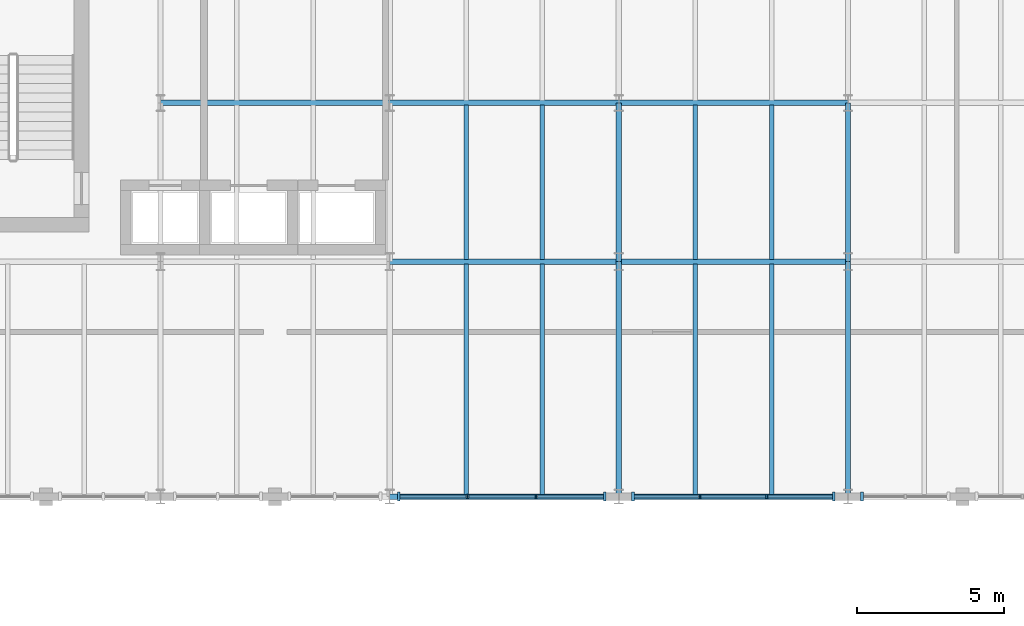
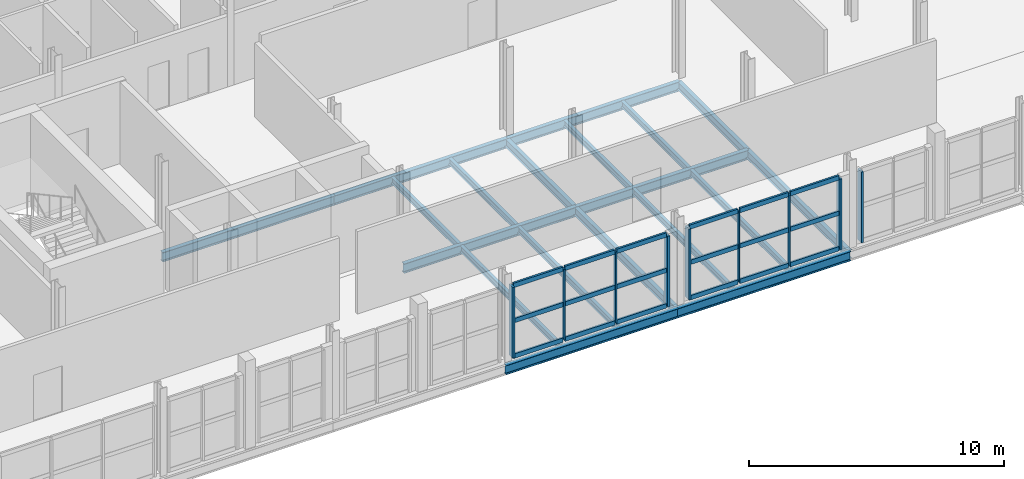
# One storey, part 18 of 45: 27 members, 19 beams, 3 elements without a shape of their own.
"""IFC4 building model written with IfcOpenShell, lengths in metres."""

from ifc_helpers import new_model, si_unit, direction, frame, origin, origin_2d, place, context, subcontext, project, spatial, rectangle, i_section, extrude, material, layer, layer_set, material_profile, profile_set, type_object, element, aggregate, save


model = new_model("IFC4")

# Units and contexts
model_context = context("Model", 3, precision=1e-05, world=origin(), true_north=direction((0.0, 1.0)))
body_context = subcontext(model_context, "Body", "Model", "MODEL_VIEW")
ifc_project = project(units=[si_unit("LENGTHUNIT", "METRE"), si_unit("AREAUNIT", "SQUARE_METRE"), si_unit("VOLUMEUNIT", "CUBIC_METRE"), si_unit("PLANEANGLEUNIT", "RADIAN"), si_unit("MASSUNIT", "GRAM", prefix="KILO")], contexts=[model_context])

# Site, building, storey
site_placement = place(None, origin())
site = spatial("IfcSite", under=ifc_project, at=site_placement, CompositionType="ELEMENT")
building_placement = place(site_placement, origin())
building = spatial("IfcBuilding", under=site, at=building_placement, Name="Sefraquen Railside Congress Hotel", CompositionType="ELEMENT")
storey_placement = place(building_placement, frame((0.0, 0.0, 20.39990234375)))
storey = spatial("IfcBuildingStorey", under=building, at=storey_placement, Name="L04", CompositionType="ELEMENT", Elevation=20.39990234375)

# Beams
ifc_material_1 = material(Name="Steel S355JR", Category="steel")
ifc_material_profile_1 = material_profile(ifc_material_1, i_section(OverallWidth=0.179931640625, OverallDepth=0.39990234375, WebThickness=0.008544921875, FlangeThickness=0.013427734375, FilletRadius=0.02099609375, at=origin_2d()), Name="IPE 400")
ifc_profile_set_1 = profile_set([ifc_material_profile_1], Name="Steel S355JR")
beam_type_1 = type_object("IfcBeamType", Name="TB-BM-400I", PredefinedType="BEAM", material=ifc_profile_set_1)
beam_1_placement = place(storey_placement, frame((87.60009765625, 88.0, -0.47998046875), z_axis=(0.0, 1.0, 0.0), x_axis=(-1.0, 0.0, 0.0)))
element("IfcBeam", 1, at=beam_1_placement, inside=storey, type_object=beam_type_1, Name="Floor beam BM-L04-1388", PredefinedType="BEAM", context=body_context, shape_type="SweptSolid", body=[
    extrude(i_section(OverallWidth=0.179931640625, OverallDepth=0.39990234375, WebThickness=0.008544921875, FlangeThickness=0.013427734375, FilletRadius=0.02099609375, at=origin_2d()), origin(), (0.0, 0.0, 1.0), 8.0),
])
beam_2_placement = place(storey_placement, frame((87.60009765625, 96.0, -0.47998046875), z_axis=(0.0, 1.0, 0.0), x_axis=(-1.0, 0.0, 0.0)))
element("IfcBeam", 2, at=beam_2_placement, inside=storey, type_object=beam_type_1, Name="Floor beam BM-L04-1389", PredefinedType="BEAM", context=body_context, shape_type="SweptSolid", body=[
    extrude(i_section(OverallWidth=0.179931640625, OverallDepth=0.39990234375, WebThickness=0.008544921875, FlangeThickness=0.013427734375, FilletRadius=0.02099609375, at=origin_2d()), origin(), (0.0, 0.0, 1.0), 5.39990234375),
])
beam_3_placement = place(storey_placement, frame((95.39990234375, 88.0, -0.47998046875), z_axis=(0.0, 1.0, 0.0), x_axis=(-1.0, 0.0, 0.0)))
element("IfcBeam", 3, at=beam_3_placement, inside=storey, type_object=beam_type_1, Name="Floor beam BM-L04-1392", PredefinedType="BEAM", context=body_context, shape_type="SweptSolid", body=[
    extrude(i_section(OverallWidth=0.179931640625, OverallDepth=0.39990234375, WebThickness=0.008544921875, FlangeThickness=0.013427734375, FilletRadius=0.02099609375, at=origin_2d()), origin(), (0.0, 0.0, 1.0), 8.0),
])
beam_4_placement = place(storey_placement, frame((95.39990234375, 96.0, -0.47998046875), z_axis=(0.0, 1.0, 0.0), x_axis=(-1.0, 0.0, 0.0)))
element("IfcBeam", 4, at=beam_4_placement, inside=storey, type_object=beam_type_1, Name="Floor beam BM-L04-1393", PredefinedType="BEAM", context=body_context, shape_type="SweptSolid", body=[
    extrude(i_section(OverallWidth=0.179931640625, OverallDepth=0.39990234375, WebThickness=0.008544921875, FlangeThickness=0.013427734375, FilletRadius=0.02099609375, at=origin_2d()), origin(), (0.0, 0.0, 1.0), 5.39990234375),
])
ifc_material_profile_2 = material_profile(ifc_material_1, i_section(OverallWidth=0.18994140625, OverallDepth=0.449951171875, WebThickness=0.009521484375, FlangeThickness=0.0146484375, FilletRadius=0.02099609375, at=origin_2d()), Name="IPE 450")
ifc_profile_set_2 = profile_set([ifc_material_profile_2], Name="Steel S355JR")
beam_type_2 = type_object("IfcBeamType", Name="TB-BM-450", PredefinedType="BEAM", material=ifc_profile_set_2)
beam_5_placement = place(storey_placement, frame((79.800048828125, 88.0, -0.5048828125), z_axis=(1.0, 0.0, 0.0), x_axis=(0.0, 1.0, 0.0)))
element("IfcBeam", 5, at=beam_5_placement, inside=storey, type_object=beam_type_2, Name="Primary girder BM-L04-1282", PredefinedType="BEAM", context=body_context, shape_type="SweptSolid", body=[
    extrude(i_section(OverallWidth=0.18994140625, OverallDepth=0.449951171875, WebThickness=0.009521484375, FlangeThickness=0.0146484375, FilletRadius=0.02099609375, at=origin_2d()), origin(), (0.0, 0.0, 1.0), 7.800048828125),
])
beam_6_placement = place(storey_placement, frame((87.60009765625, 88.0, -0.5048828125), z_axis=(1.0, 0.0, 0.0), x_axis=(0.0, 1.0, 0.0)))
element("IfcBeam", 6, at=beam_6_placement, inside=storey, type_object=beam_type_2, Name="Primary girder BM-L04-1283", PredefinedType="BEAM", context=body_context, shape_type="SweptSolid", body=[
    extrude(i_section(OverallWidth=0.18994140625, OverallDepth=0.449951171875, WebThickness=0.009521484375, FlangeThickness=0.0146484375, FilletRadius=0.02099609375, at=origin_2d()), origin(), (0.0, 0.0, 1.0), 7.7998046875),
])
beam_7_placement = place(storey_placement, frame((79.800048828125, 96.0, -0.5048828125), z_axis=(1.0, 0.0, 0.0), x_axis=(0.0, 1.0, 0.0)))
element("IfcBeam", 7, at=beam_7_placement, inside=storey, type_object=beam_type_2, Name="Primary girder BM-L04-1297", PredefinedType="BEAM", context=body_context, shape_type="SweptSolid", body=[
    extrude(i_section(OverallWidth=0.18994140625, OverallDepth=0.449951171875, WebThickness=0.009521484375, FlangeThickness=0.0146484375, FilletRadius=0.02099609375, at=origin_2d()), origin(), (0.0, 0.0, 1.0), 7.800048828125),
])
beam_8_placement = place(storey_placement, frame((87.60009765625, 96.0, -0.5048828125), z_axis=(1.0, 0.0, 0.0), x_axis=(0.0, 1.0, 0.0)))
element("IfcBeam", 8, at=beam_8_placement, inside=storey, type_object=beam_type_2, Name="Primary girder BM-L04-1298", PredefinedType="BEAM", context=body_context, shape_type="SweptSolid", body=[
    extrude(i_section(OverallWidth=0.18994140625, OverallDepth=0.449951171875, WebThickness=0.009521484375, FlangeThickness=0.0146484375, FilletRadius=0.02099609375, at=origin_2d()), origin(), (0.0, 0.0, 1.0), 7.7998046875),
])
for number, where, z_axis, x_axis, name in (
    (9, (72.0, 101.39990234375, -0.5048828125), (1.0, 0.0, 0.0), (0.0, 1.0, 0.0), "Primary girder BM-L04-1309"),
    (10, (79.800048828125, 101.39990234375, -0.5048828125), (1.0, 0.0, 0.0), (0.0, 1.0, 0.0), "Primary girder BM-L04-1310"),
):
    element("IfcBeam", number, at=place(storey_placement, frame(where, z_axis=z_axis, x_axis=x_axis)), inside=storey, type_object=beam_type_2, Name=name, PredefinedType="BEAM", context=body_context, shape_type="SweptSolid", body=[
        extrude(i_section(OverallWidth=0.18994140625, OverallDepth=0.449951171875, WebThickness=0.009521484375, FlangeThickness=0.0146484375, FilletRadius=0.02099609375, at=origin_2d()), origin(), (0.0, 0.0, 1.0), 7.800048828125),
    ])
beam_9_placement = place(storey_placement, frame((87.60009765625, 101.39990234375, -0.5048828125), z_axis=(1.0, 0.0, 0.0), x_axis=(0.0, 1.0, 0.0)))
element("IfcBeam", 11, at=beam_9_placement, inside=storey, type_object=beam_type_2, Name="Primary girder BM-L04-1311", PredefinedType="BEAM", context=body_context, shape_type="SweptSolid", body=[
    extrude(i_section(OverallWidth=0.18994140625, OverallDepth=0.449951171875, WebThickness=0.009521484375, FlangeThickness=0.0146484375, FilletRadius=0.02099609375, at=origin_2d()), origin(), (0.0, 0.0, 1.0), 7.7998046875),
])
ifc_material_profile_3 = material_profile(ifc_material_1, i_section(OverallWidth=0.14990234375, OverallDepth=0.300048828125, WebThickness=0.007080078125, FlangeThickness=0.0107421875, FilletRadius=0.014892578125, at=origin_2d()), Name="IPE 300")
ifc_profile_set_3 = profile_set([ifc_material_profile_3], Name="Steel S355JR")
beam_type_3 = type_object("IfcBeamType", Name="TB-JST-300", PredefinedType="JOIST", material=ifc_profile_set_3)
for number, where, z_axis, x_axis, name in (
    (12, (82.39990234375, 88.074951171875, -0.429931640625), (0.0, 1.0, 0.0), (-1.0, 0.0, 0.0), "Composite floor joist BM-L04-J0888"),
    (13, (85.0, 88.074951171875, -0.429931640625), (0.0, 1.0, 0.0), (-1.0, 0.0, 0.0), "Composite floor joist BM-L04-J0889"),
):
    element("IfcBeam", number, at=place(storey_placement, frame(where, z_axis=z_axis, x_axis=x_axis)), inside=storey, type_object=beam_type_3, Name=name, PredefinedType="JOIST", context=body_context, shape_type="SweptSolid", body=[
        extrude(i_section(OverallWidth=0.14990234375, OverallDepth=0.300048828125, WebThickness=0.007080078125, FlangeThickness=0.0107421875, FilletRadius=0.014892578125, at=origin_2d()), origin(), (0.0, 0.0, 1.0), 7.85009765625),
    ])
for number, where, z_axis, x_axis, name in (
    (14, (82.39990234375, 96.074951171875, -0.429931640625), (0.0, 1.0, 0.0), (-1.0, 0.0, 0.0), "Composite floor joist BM-L04-J0890"),
    (15, (85.0, 96.074951171875, -0.429931640625), (0.0, 1.0, 0.0), (-1.0, 0.0, 0.0), "Composite floor joist BM-L04-J0891"),
):
    element("IfcBeam", number, at=place(storey_placement, frame(where, z_axis=z_axis, x_axis=x_axis)), inside=storey, type_object=beam_type_3, Name=name, PredefinedType="JOIST", context=body_context, shape_type="SweptSolid", body=[
        extrude(i_section(OverallWidth=0.14990234375, OverallDepth=0.300048828125, WebThickness=0.007080078125, FlangeThickness=0.0107421875, FilletRadius=0.014892578125, at=origin_2d()), origin(), (0.0, 0.0, 1.0), 5.25),
    ])
for number, where, z_axis, x_axis, name in (
    (16, (90.199951171875, 88.074951171875, -0.429931640625), (0.0, 1.0, 0.0), (-1.0, 0.0, 0.0), "Composite floor joist BM-L04-J0896"),
    (17, (92.800048828125, 88.074951171875, -0.429931640625), (0.0, 1.0, 0.0), (-1.0, 0.0, 0.0), "Composite floor joist BM-L04-J0897"),
):
    element("IfcBeam", number, at=place(storey_placement, frame(where, z_axis=z_axis, x_axis=x_axis)), inside=storey, type_object=beam_type_3, Name=name, PredefinedType="JOIST", context=body_context, shape_type="SweptSolid", body=[
        extrude(i_section(OverallWidth=0.14990234375, OverallDepth=0.300048828125, WebThickness=0.007080078125, FlangeThickness=0.0107421875, FilletRadius=0.014892578125, at=origin_2d()), origin(), (0.0, 0.0, 1.0), 7.85009765625),
    ])
for number, where, z_axis, x_axis, name in (
    (18, (90.199951171875, 96.074951171875, -0.429931640625), (0.0, 1.0, 0.0), (-1.0, 0.0, 0.0), "Composite floor joist BM-L04-J0898"),
    (19, (92.800048828125, 96.074951171875, -0.429931640625), (0.0, 1.0, 0.0), (-1.0, 0.0, 0.0), "Composite floor joist BM-L04-J0899"),
):
    element("IfcBeam", number, at=place(storey_placement, frame(where, z_axis=z_axis, x_axis=x_axis)), inside=storey, type_object=beam_type_3, Name=name, PredefinedType="JOIST", context=body_context, shape_type="SweptSolid", body=[
        extrude(i_section(OverallWidth=0.14990234375, OverallDepth=0.300048828125, WebThickness=0.007080078125, FlangeThickness=0.0107421875, FilletRadius=0.014892578125, at=origin_2d()), origin(), (0.0, 0.0, 1.0), 5.25),
    ])

# Curtain wall, members
ifc_material_2 = material(Name="Thermally broken anodised aluminium and low-E double glazing", Category="aluminium")
ifc_layer = layer(ifc_material_2, 0.199951171875)
ifc_layer_set = layer_set([ifc_layer], Name="Thermally broken anodised aluminium and low-E double glazing")
curtain_wall_type = type_object("IfcCurtainWallType", Name="TCW-UCW-07", PredefinedType="USERDEFINED", material=ifc_layer_set)
curtain_wall_1_placement = place(storey_placement, origin())
curtain_wall_1 = element("IfcCurtainWall", 20, at=curtain_wall_1_placement, inside=storey, type_object=curtain_wall_type, Name="Meeting Wing L04 courtyard north curtain wall 3", ObjectType="UNITISED CURTAIN WALL", PredefinedType="USERDEFINED")
ifc_material_3 = material(Name="Thermally broken anodised aluminium 6063-T6", Category="aluminium")
ifc_material_profile_4 = material_profile(ifc_material_3, rectangle(XDim=0.06005859375, YDim=0.159912109375, at=origin_2d()), Name="CWM 60x160")
ifc_profile_set_4 = profile_set([ifc_material_profile_4], Name="Thermally broken anodised aluminium 6063-T6")
member_type_1 = type_object("IfcMemberType", Name="TM-CWM-01", PredefinedType="MULLION", material=ifc_profile_set_4)
member_1_placement = place(storey_placement, frame((82.44677734375, 88.0, 0.0), z_axis=(0.0, 0.0, 1.0), x_axis=(1.0, 0.0, 0.0)))
member_1 = element("IfcMember", 21, at=member_1_placement, type_object=member_type_1, Name="CW-L04-071 mullion 2", PredefinedType="MULLION", context=body_context, shape_type="SweptSolid", body=[
    extrude(rectangle(XDim=0.06005859375, YDim=0.159912109375, at=origin_2d()), origin(), (0.0, 0.0, 1.0), 3.39013671875),
])
member_2_placement = place(storey_placement, frame((84.783203125, 88.0, 0.0), z_axis=(0.0, 0.0, 1.0), x_axis=(1.0, 0.0, 0.0)))
member_2 = element("IfcMember", 22, at=member_2_placement, type_object=member_type_1, Name="CW-L04-071 mullion 3", PredefinedType="MULLION", context=body_context, shape_type="SweptSolid", body=[
    extrude(rectangle(XDim=0.06005859375, YDim=0.159912109375, at=origin_2d()), origin(), (0.0, 0.0, 1.0), 3.39013671875),
])

curtain_wall_2_placement = place(storey_placement, origin())
curtain_wall_2 = element("IfcCurtainWall", 23, at=curtain_wall_2_placement, inside=storey, type_object=curtain_wall_type, Name="Meeting Wing L04 courtyard north curtain wall 3 bay 2", ObjectType="UNITISED CURTAIN WALL", PredefinedType="USERDEFINED")
member_3_placement = place(storey_placement, frame((90.360107421875, 88.0, 0.0), z_axis=(0.0, 0.0, 1.0), x_axis=(1.0, 0.0, 0.0)))
member_3 = element("IfcMember", 24, at=member_3_placement, type_object=member_type_1, Name="CW-L04-071-S2 mullion 2", PredefinedType="MULLION", context=body_context, shape_type="SweptSolid", body=[
    extrude(rectangle(XDim=0.06005859375, YDim=0.159912109375, at=origin_2d()), origin(), (0.0, 0.0, 1.0), 3.39013671875),
])
member_4_placement = place(storey_placement, frame((92.639892578125, 88.0, 0.0), z_axis=(0.0, 0.0, 1.0), x_axis=(1.0, 0.0, 0.0)))
member_4 = element("IfcMember", 25, at=member_4_placement, type_object=member_type_1, Name="CW-L04-071-S2 mullion 3", PredefinedType="MULLION", context=body_context, shape_type="SweptSolid", body=[
    extrude(rectangle(XDim=0.06005859375, YDim=0.159912109375, at=origin_2d()), origin(), (0.0, 0.0, 1.0), 3.39013671875),
])

# Member
ifc_material_profile_5 = material_profile(ifc_material_3, rectangle(XDim=0.094970703125, YDim=0.300048828125, at=origin_2d()), Name="CWM 95x300")
ifc_profile_set_5 = profile_set([ifc_material_profile_5], Name="Thermally broken anodised aluminium 6063-T6")
member_type_2 = type_object("IfcMemberType", Name="TM-CWM-08", PredefinedType="MULLION", material=ifc_profile_set_5)
member_5_placement = place(storey_placement, frame((80.110107421875, 88.0, 0.0), z_axis=(0.0, 0.0, 1.0), x_axis=(1.0, 0.0, 0.0)))
member_5 = element("IfcMember", 26, at=member_5_placement, type_object=member_type_2, Name="CW-L04-071 mullion 1", PredefinedType="MULLION", context=body_context, shape_type="SweptSolid", body=[
    extrude(rectangle(XDim=0.094970703125, YDim=0.300048828125, at=origin_2d()), origin(), (0.0, 0.0, 1.0), 3.39013671875),
])

member_6_placement = place(storey_placement, frame((87.1201171875, 88.0, 0.0), z_axis=(0.0, 0.0, 1.0), x_axis=(1.0, 0.0, 0.0)))
member_6 = element("IfcMember", 27, at=member_6_placement, type_object=member_type_2, Name="CW-L04-071 mullion 4", PredefinedType="MULLION", context=body_context, shape_type="SweptSolid", body=[
    extrude(rectangle(XDim=0.094970703125, YDim=0.300048828125, at=origin_2d()), origin(), (0.0, 0.0, 1.0), 3.39013671875),
])

member_7_placement = place(storey_placement, frame((88.080078125, 88.0, 0.0), z_axis=(0.0, 0.0, 1.0), x_axis=(1.0, 0.0, 0.0)))
member_7 = element("IfcMember", 28, at=member_7_placement, type_object=member_type_2, Name="CW-L04-071-S2 mullion 1", PredefinedType="MULLION", context=body_context, shape_type="SweptSolid", body=[
    extrude(rectangle(XDim=0.094970703125, YDim=0.300048828125, at=origin_2d()), origin(), (0.0, 0.0, 1.0), 3.39013671875),
])

member_8_placement = place(storey_placement, frame((94.919921875, 88.0, 0.0), z_axis=(0.0, 0.0, 1.0), x_axis=(1.0, 0.0, 0.0)))
member_8 = element("IfcMember", 29, at=member_8_placement, type_object=member_type_2, Name="CW-L04-071-S2 mullion 4", PredefinedType="MULLION", context=body_context, shape_type="SweptSolid", body=[
    extrude(rectangle(XDim=0.094970703125, YDim=0.300048828125, at=origin_2d()), origin(), (0.0, 0.0, 1.0), 3.39013671875),
])

# Curtain wall, member
curtain_wall_3_placement = place(storey_placement, origin())
curtain_wall_3 = element("IfcCurtainWall", 30, at=curtain_wall_3_placement, inside=storey, type_object=curtain_wall_type, Name="Meeting Wing L04 courtyard north curtain wall 3 bay 3", ObjectType="UNITISED CURTAIN WALL", PredefinedType="USERDEFINED")
member_9_placement = place(storey_placement, frame((95.8798828125, 88.0, 0.0), z_axis=(0.0, 0.0, 1.0), x_axis=(1.0, 0.0, 0.0)))
member_9 = element("IfcMember", 31, at=member_9_placement, type_object=member_type_2, Name="CW-L04-071-S3 mullion 1", PredefinedType="MULLION", context=body_context, shape_type="SweptSolid", body=[
    extrude(rectangle(XDim=0.094970703125, YDim=0.300048828125, at=origin_2d()), origin(), (0.0, 0.0, 1.0), 3.39013671875),
])
aggregate(curtain_wall_3, [member_9])

# Member
ifc_material_profile_6 = material_profile(ifc_material_3, rectangle(XDim=0.090087890625, YDim=0.2099609375, at=origin_2d()), Name="CWT 90x210")
ifc_profile_set_6 = profile_set([ifc_material_profile_6], Name="Thermally broken anodised aluminium 6063-T6")
member_type_3 = type_object("IfcMemberType", Name="TM-CWT-07", PredefinedType="USERDEFINED", material=ifc_profile_set_6)
member_10_placement = place(storey_placement, frame((80.155029296875, 88.0, 0.0), z_axis=(1.0, 0.0, 0.0), x_axis=(0.0, 1.0, 0.0)))
member_10 = element("IfcMember", 32, at=member_10_placement, type_object=member_type_3, Name="CW-L04-071 transom 1.1", ObjectType="TRANSOM", PredefinedType="USERDEFINED", context=body_context, shape_type="SweptSolid", body=[
    extrude(rectangle(XDim=0.090087890625, YDim=0.2099609375, at=origin_2d()), origin(), (0.0, 0.0, 1.0), 2.24658203125),
])

member_11_placement = place(storey_placement, frame((82.49169921875, 88.0, 0.0), z_axis=(1.0, 0.0, 0.0), x_axis=(0.0, 1.0, 0.0)))
member_11 = element("IfcMember", 33, at=member_11_placement, type_object=member_type_3, Name="CW-L04-071 transom 1.2", ObjectType="TRANSOM", PredefinedType="USERDEFINED", context=body_context, shape_type="SweptSolid", body=[
    extrude(rectangle(XDim=0.090087890625, YDim=0.2099609375, at=origin_2d()), origin(), (0.0, 0.0, 1.0), 2.24658203125),
])

member_12_placement = place(storey_placement, frame((84.828369140625, 88.0, 0.0), z_axis=(1.0, 0.0, 0.0), x_axis=(0.0, 1.0, 0.0)))
member_12 = element("IfcMember", 34, at=member_12_placement, type_object=member_type_3, Name="CW-L04-071 transom 1.3", ObjectType="TRANSOM", PredefinedType="USERDEFINED", context=body_context, shape_type="SweptSolid", body=[
    extrude(rectangle(XDim=0.090087890625, YDim=0.2099609375, at=origin_2d()), origin(), (0.0, 0.0, 1.0), 2.24658203125),
])

member_13_placement = place(storey_placement, frame((80.155029296875, 88.0, 1.695068359375), z_axis=(1.0, 0.0, 0.0), x_axis=(0.0, 1.0, 0.0)))
member_13 = element("IfcMember", 35, at=member_13_placement, type_object=member_type_3, Name="CW-L04-071 transom 2.1", ObjectType="TRANSOM", PredefinedType="USERDEFINED", context=body_context, shape_type="SweptSolid", body=[
    extrude(rectangle(XDim=0.090087890625, YDim=0.2099609375, at=origin_2d()), origin(), (0.0, 0.0, 1.0), 2.24658203125),
])

member_14_placement = place(storey_placement, frame((82.49169921875, 88.0, 1.695068359375), z_axis=(1.0, 0.0, 0.0), x_axis=(0.0, 1.0, 0.0)))
member_14 = element("IfcMember", 36, at=member_14_placement, type_object=member_type_3, Name="CW-L04-071 transom 2.2", ObjectType="TRANSOM", PredefinedType="USERDEFINED", context=body_context, shape_type="SweptSolid", body=[
    extrude(rectangle(XDim=0.090087890625, YDim=0.2099609375, at=origin_2d()), origin(), (0.0, 0.0, 1.0), 2.24658203125),
])

member_15_placement = place(storey_placement, frame((84.828369140625, 88.0, 1.695068359375), z_axis=(1.0, 0.0, 0.0), x_axis=(0.0, 1.0, 0.0)))
member_15 = element("IfcMember", 37, at=member_15_placement, type_object=member_type_3, Name="CW-L04-071 transom 2.3", ObjectType="TRANSOM", PredefinedType="USERDEFINED", context=body_context, shape_type="SweptSolid", body=[
    extrude(rectangle(XDim=0.090087890625, YDim=0.2099609375, at=origin_2d()), origin(), (0.0, 0.0, 1.0), 2.24658203125),
])

member_16_placement = place(storey_placement, frame((80.155029296875, 88.0, 3.39013671875), z_axis=(1.0, 0.0, 0.0), x_axis=(0.0, 1.0, 0.0)))
member_16 = element("IfcMember", 38, at=member_16_placement, type_object=member_type_3, Name="CW-L04-071 transom 3.1", ObjectType="TRANSOM", PredefinedType="USERDEFINED", context=body_context, shape_type="SweptSolid", body=[
    extrude(rectangle(XDim=0.090087890625, YDim=0.2099609375, at=origin_2d()), origin(), (0.0, 0.0, 1.0), 2.24658203125),
])

member_17_placement = place(storey_placement, frame((82.49169921875, 88.0, 3.39013671875), z_axis=(1.0, 0.0, 0.0), x_axis=(0.0, 1.0, 0.0)))
member_17 = element("IfcMember", 39, at=member_17_placement, type_object=member_type_3, Name="CW-L04-071 transom 3.2", ObjectType="TRANSOM", PredefinedType="USERDEFINED", context=body_context, shape_type="SweptSolid", body=[
    extrude(rectangle(XDim=0.090087890625, YDim=0.2099609375, at=origin_2d()), origin(), (0.0, 0.0, 1.0), 2.24658203125),
])

member_18_placement = place(storey_placement, frame((84.828369140625, 88.0, 3.39013671875), z_axis=(1.0, 0.0, 0.0), x_axis=(0.0, 1.0, 0.0)))
member_18 = element("IfcMember", 40, at=member_18_placement, type_object=member_type_3, Name="CW-L04-071 transom 3.3", ObjectType="TRANSOM", PredefinedType="USERDEFINED", context=body_context, shape_type="SweptSolid", body=[
    extrude(rectangle(XDim=0.090087890625, YDim=0.2099609375, at=origin_2d()), origin(), (0.0, 0.0, 1.0), 2.24658203125),
])

aggregate(curtain_wall_1, [member_5, member_1, member_2, member_6, member_10, member_11, member_12, member_13, member_14, member_15, member_16, member_17, member_18])

member_19_placement = place(storey_placement, frame((88.125, 88.0, 0.0), z_axis=(1.0, 0.0, 0.0), x_axis=(0.0, 1.0, 0.0)))
member_19 = element("IfcMember", 41, at=member_19_placement, type_object=member_type_3, Name="CW-L04-071-S2 transom 1.1", ObjectType="TRANSOM", PredefinedType="USERDEFINED", context=body_context, shape_type="SweptSolid", body=[
    extrude(rectangle(XDim=0.090087890625, YDim=0.2099609375, at=origin_2d()), origin(), (0.0, 0.0, 1.0), 2.18994140625),
])

member_20_placement = place(storey_placement, frame((90.405029296875, 88.0, 0.0), z_axis=(1.0, 0.0, 0.0), x_axis=(0.0, 1.0, 0.0)))
member_20 = element("IfcMember", 42, at=member_20_placement, type_object=member_type_3, Name="CW-L04-071-S2 transom 1.2", ObjectType="TRANSOM", PredefinedType="USERDEFINED", context=body_context, shape_type="SweptSolid", body=[
    extrude(rectangle(XDim=0.090087890625, YDim=0.2099609375, at=origin_2d()), origin(), (0.0, 0.0, 1.0), 2.18994140625),
])

member_21_placement = place(storey_placement, frame((92.68505859375, 88.0, 0.0), z_axis=(1.0, 0.0, 0.0), x_axis=(0.0, 1.0, 0.0)))
member_21 = element("IfcMember", 43, at=member_21_placement, type_object=member_type_3, Name="CW-L04-071-S2 transom 1.3", ObjectType="TRANSOM", PredefinedType="USERDEFINED", context=body_context, shape_type="SweptSolid", body=[
    extrude(rectangle(XDim=0.090087890625, YDim=0.2099609375, at=origin_2d()), origin(), (0.0, 0.0, 1.0), 2.18994140625),
])

member_22_placement = place(storey_placement, frame((88.125, 88.0, 1.695068359375), z_axis=(1.0, 0.0, 0.0), x_axis=(0.0, 1.0, 0.0)))
member_22 = element("IfcMember", 44, at=member_22_placement, type_object=member_type_3, Name="CW-L04-071-S2 transom 2.1", ObjectType="TRANSOM", PredefinedType="USERDEFINED", context=body_context, shape_type="SweptSolid", body=[
    extrude(rectangle(XDim=0.090087890625, YDim=0.2099609375, at=origin_2d()), origin(), (0.0, 0.0, 1.0), 2.18994140625),
])

member_23_placement = place(storey_placement, frame((90.405029296875, 88.0, 1.695068359375), z_axis=(1.0, 0.0, 0.0), x_axis=(0.0, 1.0, 0.0)))
member_23 = element("IfcMember", 45, at=member_23_placement, type_object=member_type_3, Name="CW-L04-071-S2 transom 2.2", ObjectType="TRANSOM", PredefinedType="USERDEFINED", context=body_context, shape_type="SweptSolid", body=[
    extrude(rectangle(XDim=0.090087890625, YDim=0.2099609375, at=origin_2d()), origin(), (0.0, 0.0, 1.0), 2.18994140625),
])

member_24_placement = place(storey_placement, frame((92.68505859375, 88.0, 1.695068359375), z_axis=(1.0, 0.0, 0.0), x_axis=(0.0, 1.0, 0.0)))
member_24 = element("IfcMember", 46, at=member_24_placement, type_object=member_type_3, Name="CW-L04-071-S2 transom 2.3", ObjectType="TRANSOM", PredefinedType="USERDEFINED", context=body_context, shape_type="SweptSolid", body=[
    extrude(rectangle(XDim=0.090087890625, YDim=0.2099609375, at=origin_2d()), origin(), (0.0, 0.0, 1.0), 2.18994140625),
])

member_25_placement = place(storey_placement, frame((88.125, 88.0, 3.39013671875), z_axis=(1.0, 0.0, 0.0), x_axis=(0.0, 1.0, 0.0)))
member_25 = element("IfcMember", 47, at=member_25_placement, type_object=member_type_3, Name="CW-L04-071-S2 transom 3.1", ObjectType="TRANSOM", PredefinedType="USERDEFINED", context=body_context, shape_type="SweptSolid", body=[
    extrude(rectangle(XDim=0.090087890625, YDim=0.2099609375, at=origin_2d()), origin(), (0.0, 0.0, 1.0), 2.18994140625),
])

member_26_placement = place(storey_placement, frame((90.405029296875, 88.0, 3.39013671875), z_axis=(1.0, 0.0, 0.0), x_axis=(0.0, 1.0, 0.0)))
member_26 = element("IfcMember", 48, at=member_26_placement, type_object=member_type_3, Name="CW-L04-071-S2 transom 3.2", ObjectType="TRANSOM", PredefinedType="USERDEFINED", context=body_context, shape_type="SweptSolid", body=[
    extrude(rectangle(XDim=0.090087890625, YDim=0.2099609375, at=origin_2d()), origin(), (0.0, 0.0, 1.0), 2.18994140625),
])

member_27_placement = place(storey_placement, frame((92.68505859375, 88.0, 3.39013671875), z_axis=(1.0, 0.0, 0.0), x_axis=(0.0, 1.0, 0.0)))
member_27 = element("IfcMember", 49, at=member_27_placement, type_object=member_type_3, Name="CW-L04-071-S2 transom 3.3", ObjectType="TRANSOM", PredefinedType="USERDEFINED", context=body_context, shape_type="SweptSolid", body=[
    extrude(rectangle(XDim=0.090087890625, YDim=0.2099609375, at=origin_2d()), origin(), (0.0, 0.0, 1.0), 2.18994140625),
])

aggregate(curtain_wall_2, [member_7, member_3, member_4, member_8, member_19, member_20, member_21, member_22, member_23, member_24, member_25, member_26, member_27])

save(model, "model.ifc")
